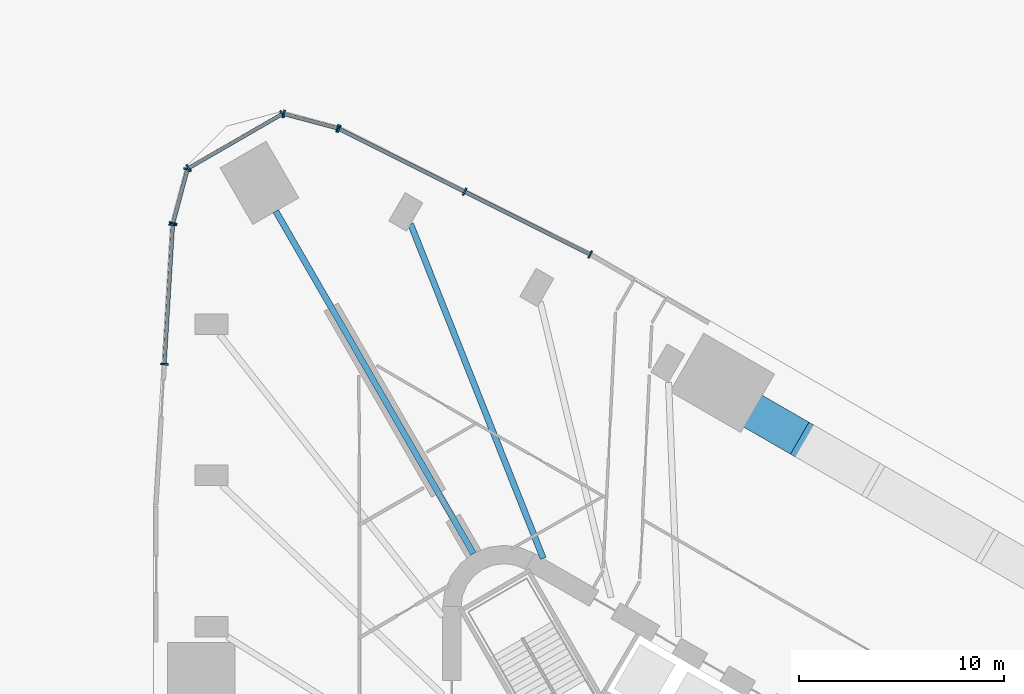
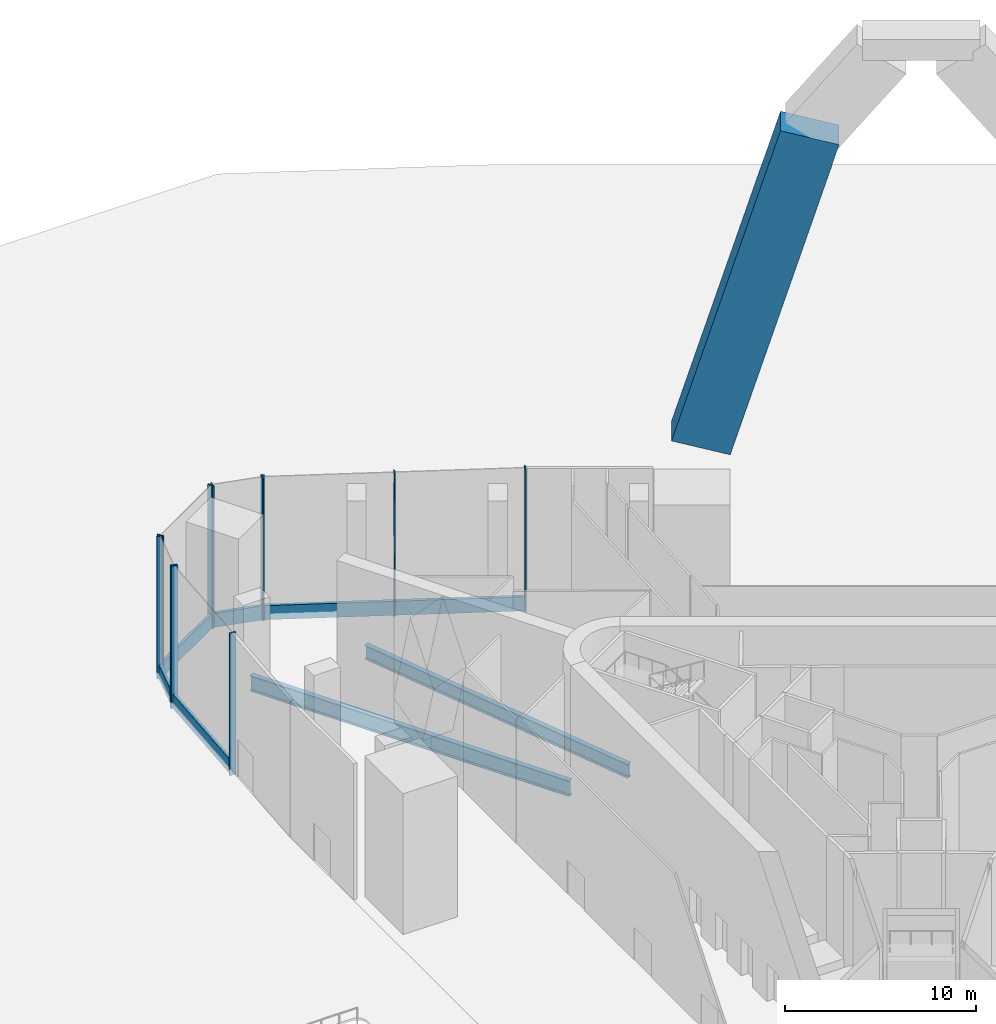
# One storey, part 8 of 22: 17 members, 3 beams, 5 elements without a shape of their own.
"""IFC4 building model written with IfcOpenShell, lengths in metres."""

from ifc_helpers import new_model, si_unit, direction, frame, origin, origin_2d, place, context, subcontext, project, spatial, rectangle, i_section, extrude, material, material_profile, profile_set, type_object, element, aggregate, save


model = new_model("IFC4")

# Units and contexts
model_context = context("Model", 3, precision=1e-05, world=origin(), true_north=direction((0.0, 1.0)))
body_context = subcontext(model_context, "Body", "Model", "MODEL_VIEW")
ifc_project = project(units=[si_unit("LENGTHUNIT", "METRE"), si_unit("AREAUNIT", "SQUARE_METRE"), si_unit("VOLUMEUNIT", "CUBIC_METRE"), si_unit("PLANEANGLEUNIT", "RADIAN"), si_unit("MASSUNIT", "GRAM", prefix="KILO")], contexts=[model_context])

# Site, building, storey
site_placement = place(None, origin())
site = spatial("IfcSite", under=ifc_project, at=site_placement, CompositionType="ELEMENT")
building_placement = place(site_placement, origin())
building = spatial("IfcBuilding", under=site, at=building_placement, Name="Tanit Gate Tower", CompositionType="ELEMENT")
storey_placement = place(building_placement, origin())
storey = spatial("IfcBuildingStorey", under=building, at=storey_placement, Name="L00", CompositionType="ELEMENT", Elevation=0.0)

# Beam
ifc_material_1 = material(Name="Concrete C80/95", Category="concrete")
ifc_material_profile_1 = material_profile(ifc_material_1, rectangle(XDim=1.800048828125, YDim=3.199951171875, at=origin_2d()), Name="RC 1800x3200")
ifc_profile_set_1 = profile_set([ifc_material_profile_1], Name="Concrete C80/95")
beam_type_1 = type_object("IfcBeamType", Name="ARCH RIB RC 1800x3200 C80/95", PredefinedType="USERDEFINED", material=ifc_profile_set_1)
beam_1_placement = place(storey_placement, frame((6.67626953125, 23.22705078125, 32.263427734375), z_axis=(-0.239574666215, 0.138323594337, -0.960973757476), x_axis=(-0.500013816581, -0.866017426631, 0.0)))
element("IfcBeam", 1, at=beam_1_placement, inside=storey, type_object=beam_type_1, Name="ARCH RIB", ObjectType="ARCH RIB", PredefinedType="USERDEFINED", context=body_context, shape_type="SweptSolid", body=[
    extrude(rectangle(XDim=1.800048828125, YDim=3.199951171875, at=origin_2d()), origin(), (0.0, 0.0, 1.0), 20.625732421875),
])

# Curtain wall, members
ifc_material_2 = material(Name="Aluminium bronze anodised and glass", Category="aluminium")
curtain_wall_type = type_object("IfcCurtainWallType", Name="Curtain wall shopfront", PredefinedType="NOTDEFINED", material=ifc_material_2)
curtain_wall_1_placement = place(storey_placement, origin())
curtain_wall_1 = element("IfcCurtainWall", 2, at=curtain_wall_1_placement, inside=storey, type_object=curtain_wall_type, Name="Curtain wall L00 NE3", PredefinedType="NOTDEFINED")
ifc_material_3 = material(Name="Aluminium bronze anodised", Category="aluminium")
ifc_material_profile_2 = material_profile(ifc_material_3, rectangle(XDim=0.3798828125, YDim=0.080078125, at=origin_2d()), Name="80x380 bronze mullion")
ifc_profile_set_2 = profile_set([ifc_material_profile_2], Name="Aluminium bronze anodised")
member_type_1 = type_object("IfcMemberType", Name="Mullion 80x380 shopfront", PredefinedType="MULLION", material=ifc_profile_set_2)
member_1_placement = place(storey_placement, frame((-4.896240234375, 32.9697265625, -0.39990234375), z_axis=(0.0, 0.0, 1.0), x_axis=(-0.447491905196, -0.894287982019, 0.0)))
member_1 = element("IfcMember", 3, at=member_1_placement, type_object=member_type_1, Name="Mullion L00 NE3.1", PredefinedType="MULLION", context=body_context, shape_type="SweptSolid", body=[
    extrude(rectangle(XDim=0.3798828125, YDim=0.080078125, at=origin_2d()), origin(), (0.0, 0.0, 1.0), 9.099853515625),
])
member_2_placement = place(storey_placement, frame((-11.03173828125, 36.0400390625, -0.39990234375), z_axis=(0.0, 0.0, 1.0), x_axis=(-0.447491905196, -0.894287982019, 0.0)))
member_2 = element("IfcMember", 4, at=member_2_placement, type_object=member_type_1, Name="Mullion L00 NE3.2", PredefinedType="MULLION", context=body_context, shape_type="SweptSolid", body=[
    extrude(rectangle(XDim=0.3798828125, YDim=0.080078125, at=origin_2d()), origin(), (0.0, 0.0, 1.0), 9.099853515625),
])
member_3_placement = place(storey_placement, frame((-17.167236328125, 39.110107421875, -0.39990234375), z_axis=(0.0, 0.0, 1.0), x_axis=(-0.447491905196, -0.894287982019, 0.0)))
member_3 = element("IfcMember", 5, at=member_3_placement, type_object=member_type_1, Name="Mullion L00 NE3.3", PredefinedType="MULLION", context=body_context, shape_type="SweptSolid", body=[
    extrude(rectangle(XDim=0.3798828125, YDim=0.080078125, at=origin_2d()), origin(), (0.0, 0.0, 1.0), 9.099853515625),
])

curtain_wall_2_placement = place(storey_placement, origin())
curtain_wall_2 = element("IfcCurtainWall", 6, at=curtain_wall_2_placement, inside=storey, type_object=curtain_wall_type, Name="Curtain wall L00 NW.arc1", PredefinedType="NOTDEFINED")
member_4_placement = place(storey_placement, frame((-17.241455078125, 39.138427734375, -0.39990234375), z_axis=(0.0, 0.0, 1.0), x_axis=(-0.258819045103, -0.965925826289, 0.0)))
member_4 = element("IfcMember", 7, at=member_4_placement, type_object=member_type_1, Name="Mullion L00 NW.arc1.1", PredefinedType="MULLION", context=body_context, shape_type="SweptSolid", body=[
    extrude(rectangle(XDim=0.3798828125, YDim=0.080078125, at=origin_2d()), origin(), (0.0, 0.0, 1.0), 9.099853515625),
])
member_5_placement = place(storey_placement, frame((-19.869140625, 39.84228515625, -0.39990234375), z_axis=(0.0, 0.0, 1.0), x_axis=(-0.258819045103, -0.965925826289, 0.0)))
member_5 = element("IfcMember", 8, at=member_5_placement, type_object=member_type_1, Name="Mullion L00 NW.arc1.2", PredefinedType="MULLION", context=body_context, shape_type="SweptSolid", body=[
    extrude(rectangle(XDim=0.3798828125, YDim=0.080078125, at=origin_2d()), origin(), (0.0, 0.0, 1.0), 9.099853515625),
])

curtain_wall_3_placement = place(storey_placement, origin())
curtain_wall_3 = element("IfcCurtainWall", 9, at=curtain_wall_3_placement, inside=storey, type_object=curtain_wall_type, Name="Curtain wall L00 NW.arc2", PredefinedType="NOTDEFINED")
member_6_placement = place(storey_placement, frame((-19.9423828125, 39.832763671875, -0.39990234375), z_axis=(0.0, 0.0, 1.0), x_axis=(0.5, -0.866025403784, 0.0)))
member_6 = element("IfcMember", 10, at=member_6_placement, type_object=member_type_1, Name="Mullion L00 NW.arc2.1", PredefinedType="MULLION", context=body_context, shape_type="SweptSolid", body=[
    extrude(rectangle(XDim=0.3798828125, YDim=0.080078125, at=origin_2d()), origin(), (0.0, 0.0, 1.0), 9.099853515625),
])
member_7_placement = place(storey_placement, frame((-24.52490234375, 37.18701171875, -0.39990234375), z_axis=(0.0, 0.0, 1.0), x_axis=(0.5, -0.866025403784, 0.0)))
member_7 = element("IfcMember", 11, at=member_7_placement, type_object=member_type_1, Name="Mullion L00 NW.arc2.2", PredefinedType="MULLION", context=body_context, shape_type="SweptSolid", body=[
    extrude(rectangle(XDim=0.3798828125, YDim=0.080078125, at=origin_2d()), origin(), (0.0, 0.0, 1.0), 9.099853515625),
])

curtain_wall_4_placement = place(storey_placement, origin())
curtain_wall_4 = element("IfcCurtainWall", 12, at=curtain_wall_4_placement, inside=storey, type_object=curtain_wall_type, Name="Curtain wall L00 NW.arc3", PredefinedType="NOTDEFINED")
member_8_placement = place(storey_placement, frame((-24.56982421875, 37.12841796875, -0.39990234375), z_axis=(0.0, 0.0, 1.0), x_axis=(0.965925826289, -0.258819045103, 0.0)))
member_8 = element("IfcMember", 13, at=member_8_placement, type_object=member_type_1, Name="Mullion L00 NW.arc3.1", PredefinedType="MULLION", context=body_context, shape_type="SweptSolid", body=[
    extrude(rectangle(XDim=0.3798828125, YDim=0.080078125, at=origin_2d()), origin(), (0.0, 0.0, 1.0), 9.099853515625),
])
member_9_placement = place(storey_placement, frame((-25.27392578125, 34.500732421875, -0.39990234375), z_axis=(0.0, 0.0, 1.0), x_axis=(0.965925826289, -0.258819045103, 0.0)))
member_9 = element("IfcMember", 14, at=member_9_placement, type_object=member_type_1, Name="Mullion L00 NW.arc3.2", PredefinedType="MULLION", context=body_context, shape_type="SweptSolid", body=[
    extrude(rectangle(XDim=0.3798828125, YDim=0.080078125, at=origin_2d()), origin(), (0.0, 0.0, 1.0), 9.099853515625),
])

curtain_wall_5_placement = place(storey_placement, origin())
curtain_wall_5 = element("IfcCurtainWall", 15, at=curtain_wall_5_placement, inside=storey, type_object=curtain_wall_type, Name="Curtain wall L00 W1a", PredefinedType="NOTDEFINED")
member_10_placement = place(storey_placement, frame((-25.286865234375, 34.422119140625, -0.39990234375), z_axis=(0.0, 0.0, 1.0), x_axis=(0.998209687351, -0.059811538009, 0.0)))
member_10 = element("IfcMember", 16, at=member_10_placement, type_object=member_type_1, Name="Mullion L00 W1a.1", PredefinedType="MULLION", context=body_context, shape_type="SweptSolid", body=[
    extrude(rectangle(XDim=0.3798828125, YDim=0.080078125, at=origin_2d()), origin(), (0.0, 0.0, 1.0), 9.099853515625),
])
member_11_placement = place(storey_placement, frame((-25.69482421875, 27.613525390625, -0.39990234375), z_axis=(0.0, 0.0, 1.0), x_axis=(0.998209687351, -0.059811538009, 0.0)))
member_11 = element("IfcMember", 17, at=member_11_placement, type_object=member_type_1, Name="Mullion L00 W1a.2", PredefinedType="MULLION", context=body_context, shape_type="SweptSolid", body=[
    extrude(rectangle(XDim=0.3798828125, YDim=0.080078125, at=origin_2d()), origin(), (0.0, 0.0, 1.0), 9.099853515625),
])

# Beams
ifc_material_4 = material(Name="Steel S355", Category="steel")
ifc_material_profile_3 = material_profile(ifc_material_4, i_section(OverallWidth=0.300048828125, OverallDepth=0.889892578125, WebThickness=0.01611328125, FlangeThickness=0.030029296875, FilletRadius=0.030029296875, at=origin_2d()), Name="HEA 900")
ifc_profile_set_3 = profile_set([ifc_material_profile_3], Name="Steel S355")
beam_type_2 = type_object("IfcBeamType", Name="RADIAL GIRDER HEA 900 S355", PredefinedType="BEAM", material=ifc_profile_set_3)
beam_2_placement = place(storey_placement, frame((-13.66796875, 34.4580078125, -0.844970703125), z_axis=(0.368718043826, -0.929541286957, 0.0), x_axis=(0.929541286957, 0.368718043826, 0.0)))
element("IfcBeam", 18, at=beam_2_placement, inside=storey, type_object=beam_type_2, Name="RADIAL GIRDER", PredefinedType="BEAM", context=body_context, shape_type="SweptSolid", body=[
    extrude(i_section(OverallWidth=0.300048828125, OverallDepth=0.889892578125, WebThickness=0.01611328125, FlangeThickness=0.030029296875, FilletRadius=0.030029296875, at=origin_2d()), origin(), (0.0, 0.0, 1.0), 17.571044921875),
])
ifc_material_5 = material(Name="Steel S355", Category="steel")
ifc_material_profile_4 = material_profile(ifc_material_5, i_section(OverallWidth=0.300048828125, OverallDepth=1.0, WebThickness=0.01904296875, FlangeThickness=0.035888671875, FilletRadius=0.030029296875, at=origin_2d()), Name="HEB 1000")
ifc_profile_set_4 = profile_set([ifc_material_profile_4], Name="Steel S355")
beam_type_3 = type_object("IfcBeamType", Name="RADIAL GIRDER HEB 1000 S355", PredefinedType="BEAM", material=ifc_profile_set_4)
beam_3_placement = place(storey_placement, frame((-20.255615234375, 35.083740234375, -0.89990234375), z_axis=(0.499994246912, -0.866028725306, 0.0), x_axis=(0.866028725306, 0.499994246912, 0.0)))
element("IfcBeam", 19, at=beam_3_placement, inside=storey, type_object=beam_type_3, Name="RADIAL GIRDER", PredefinedType="BEAM", context=body_context, shape_type="SweptSolid", body=[
    extrude(i_section(OverallWidth=0.300048828125, OverallDepth=1.0, WebThickness=0.01904296875, FlangeThickness=0.035888671875, FilletRadius=0.030029296875, at=origin_2d()), origin(), (0.0, 0.0, 1.0), 19.309326171875),
])

# Member
ifc_material_6 = material(Name="Aluminium bronze anodised", Category="aluminium")
ifc_material_profile_5 = material_profile(ifc_material_6, rectangle(XDim=0.179931640625, YDim=0.89990234375, at=origin_2d()), Name="180x900 bronze transom")
ifc_profile_set_5 = profile_set([ifc_material_profile_5], Name="Aluminium bronze anodised")
member_type_2 = type_object("IfcMemberType", Name="Transom 180x900 shopfront", PredefinedType="USERDEFINED", material=ifc_profile_set_5)
member_12_placement = place(storey_placement, frame((-4.93212890625, 32.98779296875, 0.050048828125), z_axis=(-0.894290324915, 0.447487223016, 0.0), x_axis=(-0.447487223016, -0.894290324915, 0.0)))
member_12 = element("IfcMember", 20, at=member_12_placement, type_object=member_type_2, Name="Transom L00 NE3.1", ObjectType="TRANSOM", PredefinedType="USERDEFINED", context=body_context, shape_type="SweptSolid", body=[
    extrude(rectangle(XDim=0.179931640625, YDim=0.89990234375, at=origin_2d()), origin(), (0.0, 0.0, 1.0), 6.780517578125),
])

member_13_placement = place(storey_placement, frame((-11.0673828125, 36.057861328125, 0.050048828125), z_axis=(-0.894297534657, 0.447472814265, 0.0), x_axis=(-0.447472814265, -0.894297534657, 0.0)))
member_13 = element("IfcMember", 21, at=member_13_placement, type_object=member_type_2, Name="Transom L00 NE3.2", ObjectType="TRANSOM", PredefinedType="USERDEFINED", context=body_context, shape_type="SweptSolid", body=[
    extrude(rectangle(XDim=0.179931640625, YDim=0.89990234375, at=origin_2d()), origin(), (0.0, 0.0, 1.0), 6.78076171875),
])

aggregate(curtain_wall_1, [member_1, member_2, member_3, member_12, member_13])

member_14_placement = place(storey_placement, frame((-17.2802734375, 39.148681640625, 0.050048828125), z_axis=(-0.965925763044, 0.258819281137, 0.0), x_axis=(-0.258819281137, -0.965925763044, 0.0)))
member_14 = element("IfcMember", 22, at=member_14_placement, type_object=member_type_2, Name="Transom L00 NW.arc1.1", ObjectType="TRANSOM", PredefinedType="USERDEFINED", context=body_context, shape_type="SweptSolid", body=[
    extrude(rectangle(XDim=0.179931640625, YDim=0.89990234375, at=origin_2d()), origin(), (0.0, 0.0, 1.0), 2.64013671875),
])

aggregate(curtain_wall_2, [member_4, member_5, member_14])

member_15_placement = place(storey_placement, frame((-19.97705078125, 39.812744140625, 0.050048828125), z_axis=(-0.866023315909, -0.500003616288, 0.0), x_axis=(0.500003616288, -0.866023315909, 0.0)))
member_15 = element("IfcMember", 23, at=member_15_placement, type_object=member_type_2, Name="Transom L00 NW.arc2.1", ObjectType="TRANSOM", PredefinedType="USERDEFINED", context=body_context, shape_type="SweptSolid", body=[
    extrude(rectangle(XDim=0.179931640625, YDim=0.89990234375, at=origin_2d()), origin(), (0.0, 0.0, 1.0), 5.21142578125),
])

aggregate(curtain_wall_3, [member_6, member_7, member_15])

member_16_placement = place(storey_placement, frame((-24.580322265625, 37.08984375, 0.050048828125), z_axis=(-0.258796165988, -0.965931956439, 0.0), x_axis=(0.965931956439, -0.258796165988, 0.0)))
member_16 = element("IfcMember", 24, at=member_16_placement, type_object=member_type_2, Name="Transom L00 NW.arc3.1", ObjectType="TRANSOM", PredefinedType="USERDEFINED", context=body_context, shape_type="SweptSolid", body=[
    extrude(rectangle(XDim=0.179931640625, YDim=0.89990234375, at=origin_2d()), origin(), (0.0, 0.0, 1.0), 2.640380859375),
])

aggregate(curtain_wall_4, [member_8, member_9, member_16])

member_17_placement = place(storey_placement, frame((-25.2890625, 34.38232421875, 0.050048828125), z_axis=(-0.059832384154, -0.998208438056, 0.0), x_axis=(0.998208438056, -0.059832384154, 0.0)))
member_17 = element("IfcMember", 25, at=member_17_placement, type_object=member_type_2, Name="Transom L00 W1a.1", ObjectType="TRANSOM", PredefinedType="USERDEFINED", context=body_context, shape_type="SweptSolid", body=[
    extrude(rectangle(XDim=0.179931640625, YDim=0.89990234375, at=origin_2d()), origin(), (0.0, 0.0, 1.0), 6.74072265625),
])

aggregate(curtain_wall_5, [member_10, member_11, member_17])

save(model, "model.ifc")
